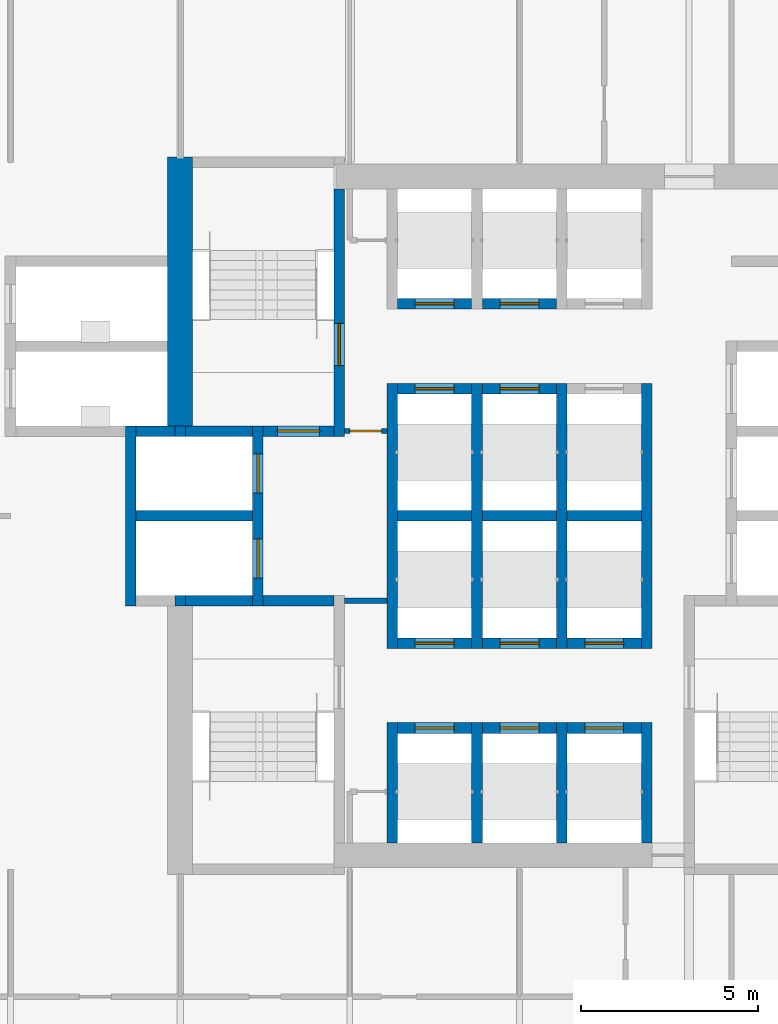
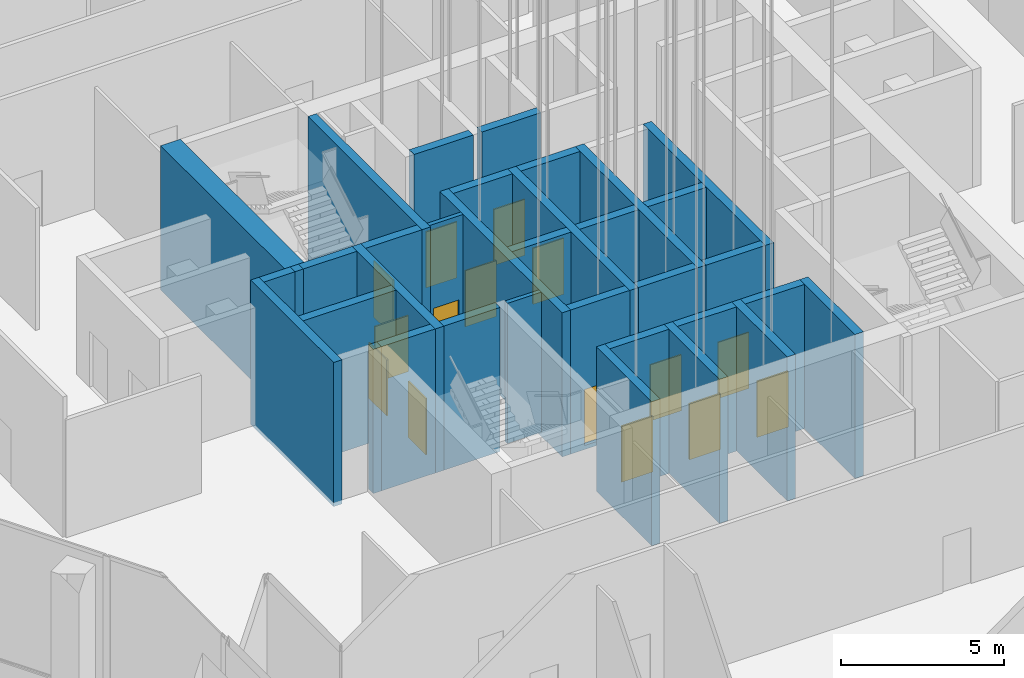
# One storey, part 9 of 42: 35 walls, 15 doors, 15 openings.
"""IFC4 building model written with IfcOpenShell, lengths in metres."""

import ifcopenshell
import ifcopenshell.guid

model = None  # the IFC model being written
_history = None  # IfcOwnerHistory: only IFC2X3 demands one
_inside = {}  # id of a spatial element -> (the spatial element, [elements in it])
_under = {}  # id of a project, library or spatial element -> (it, [spatial elements below it])
_declared = {}  # id of a project -> (the project, [libraries it declares])
_typed = {}  # id of a type object -> (the type object, [elements of that type])
_made_of = {}  # id of a material, layer set ... -> (it, [elements and type objects made of it])


def new_model(schema):
    """Start an empty IFC model of exactly this schema.

    Asked for "IFC4X3", IfcOpenShell would pick the latest addendum, in which some entities
    have other attributes; the version numbers below select the first issue.
    IFC2X3 requires an IfcOwnerHistory on every rooted entity: one is made here for all.
    """
    global model, _history
    if schema == "IFC4X3":
        model = ifcopenshell.file(schema_version=(4, 3, 0, 0))
    else:
        model = ifcopenshell.file(schema=schema)
    _inside.clear()
    _under.clear()
    _declared.clear()
    _typed.clear()
    _made_of.clear()
    _history = None
    if model.schema == "IFC2X3":
        org = make("IfcOrganization", Name="unknown")
        user = make(
            "IfcPersonAndOrganization",
            ThePerson=make("IfcPerson", FamilyName="unknown"),
            TheOrganization=org,
        )
        app = make(
            "IfcApplication",
            ApplicationDeveloper=org,
            Version="unknown",
            ApplicationFullName="unknown",
            ApplicationIdentifier="unknown",
        )
        _history = make(
            "IfcOwnerHistory",
            OwningUser=user,
            OwningApplication=app,
            ChangeAction="ADDED",
            CreationDate=0,
        )
    return model


def make(cls, **values):
    """One entity of the class cls with the attributes given. An attribute that is None is left unset."""
    return model.create_entity(
        cls, **{name: value for name, value in values.items() if value is not None}
    )


def rooted(cls, **values):
    """An entity with a GlobalId (a new one), such as an element, a storey or a relation."""
    return make(cls, GlobalId=ifcopenshell.guid.new(), OwnerHistory=_history, **values)


def si_unit(unit_type, name, prefix=None):
    """IfcSIUnit, for example si_unit("LENGTHUNIT", "METRE", prefix="MILLI")."""
    return make("IfcSIUnit", UnitType=unit_type, Prefix=prefix, Name=name)


def assignment(units):
    """IfcUnitAssignment: the units of a project."""
    return None if units is None else make("IfcUnitAssignment", Units=units)


def point(xyz):
    """IfcCartesianPoint."""
    return None if xyz is None else make("IfcCartesianPoint", Coordinates=xyz)


def direction(xyz):
    """IfcDirection."""
    return None if xyz is None else make("IfcDirection", DirectionRatios=xyz)


def frame(location, z_axis=None, x_axis=None):
    """IfcAxis2Placement3D, a coordinate frame: its origin and axes. An axis left out is left unset."""
    return make(
        "IfcAxis2Placement3D",
        Location=point(location),
        Axis=direction(z_axis),
        RefDirection=direction(x_axis),
    )


def frame_2d(location, x_axis=None):
    """IfcAxis2Placement2D, a coordinate frame in the plane: its origin and x axis."""
    return make(
        "IfcAxis2Placement2D", Location=point(location), RefDirection=direction(x_axis)
    )


def origin():
    """The frame at (0, 0, 0) with its axes left unset."""
    return frame((0.0, 0.0, 0.0))


def place(relative_to, where):
    """IfcLocalPlacement: puts the frame where relative to a parent placement (None: the world)."""
    return make(
        "IfcLocalPlacement", PlacementRelTo=relative_to, RelativePlacement=where
    )


def context(
    kind, dimensions, precision=None, world=None, true_north=None, identifier=None
):
    """IfcGeometricRepresentationContext, for example the 3D "Model" context."""
    return make(
        "IfcGeometricRepresentationContext",
        ContextIdentifier=identifier,
        ContextType=kind,
        CoordinateSpaceDimension=dimensions,
        Precision=precision,
        WorldCoordinateSystem=world,
        TrueNorth=true_north,
    )


def subcontext(parent, identifier, kind, view, scale=None):
    """IfcGeometricRepresentationSubContext, for example "Body" below "Model"."""
    return make(
        "IfcGeometricRepresentationSubContext",
        ContextIdentifier=identifier,
        ContextType=kind,
        ParentContext=parent,
        TargetScale=scale,
        TargetView=view,
    )


def project(units=None, contexts=None):
    """IfcProject with its units and contexts."""
    return rooted(
        "IfcProject",
        Name="project",
        RepresentationContexts=contexts,
        UnitsInContext=assignment(units),
    )


def spatial(cls, under=None, at=None, **own):
    """A site, building, storey or space (cls), placed at a placement, below another one or the project."""
    s = rooted(cls, ObjectPlacement=at, **own)
    if under is not None:
        _under.setdefault(under.id(), (under, []))[1].append(s)
    return s


def profile(cls, at=None, kind="AREA", **sizes):
    """A parametric profile (cls). Its sizes go by their IFC names, for example OverallWidth=200.0."""
    return make(cls, ProfileType=kind, Position=at, **sizes)


def rectangle(**sizes):
    """IfcRectangleProfileDef."""
    return profile("IfcRectangleProfileDef", **sizes)


def extrude(swept, where, along, depth):
    """IfcExtrudedAreaSolid: the profile swept, set in the frame where, extruded along a direction by depth."""
    return make(
        "IfcExtrudedAreaSolid",
        SweptArea=swept,
        Position=where,
        ExtrudedDirection=direction(along),
        Depth=depth,
    )


def shape(context_of_items, identifier, shape_type, items):
    """IfcShapeRepresentation: the items that make up one representation, for example the "Body"."""
    return make(
        "IfcShapeRepresentation",
        ContextOfItems=context_of_items,
        RepresentationIdentifier=identifier,
        RepresentationType=shape_type,
        Items=items,
    )


def material(Name=None, Category=None):
    """IfcMaterial."""
    return make("IfcMaterial", Name=Name, Category=Category)


def layer(
    of_material, thickness, ventilated=None, Name=None, Category=None, Priority=None
):
    """IfcMaterialLayer: one layer of a wall or slab, of a material (None: an air gap)."""
    return make(
        "IfcMaterialLayer",
        Material=of_material,
        LayerThickness=thickness,
        IsVentilated=ventilated,
        Name=Name,
        Category=Category,
        Priority=Priority,
    )


def layer_set(layers, Name=None):
    """IfcMaterialLayerSet."""
    return make("IfcMaterialLayerSet", MaterialLayers=layers, LayerSetName=Name)


def made_of(thing, what):
    """Note that an element or type object is made of a material, layer set ...; save() writes the relation."""
    if what is not None:
        _made_of.setdefault(what.id(), (what, []))[1].append(thing)
    return thing


def type_object(cls, material=None, **own):
    """A type object (cls), such as IfcWallType, which elements share."""
    return made_of(rooted(cls, **own), material)


def element(
    cls,
    number,
    at=None,
    inside=None,
    cuts=None,
    type_object=None,
    material=None,
    context=None,
    identifier="Body",
    shape_type=None,
    held_by="IfcProductDefinitionShape",
    body=None,
    shapes=None,
    **own,
):
    """One element of the class cls, such as IfcWall. Its Tag is "e" and its number.

    at: its placement. inside: the storey or other place that contains it. cuts: it is an
    opening in that element (IfcRelVoidsElement). A single representation is given by context,
    identifier, shape_type and body (its items); several are given by shapes. held_by: the class
    of the entity that holds the representations. save() writes the other relations.
    """
    e = rooted(cls, Tag="e%d" % number, ObjectPlacement=at, **own)
    if body is not None:
        shapes = [shape(context, identifier, shape_type, body)]
    if shapes is not None:
        e.Representation = make(held_by, Representations=shapes)
    if inside is not None:
        _inside.setdefault(inside.id(), (inside, []))[1].append(e)
    if cuts is not None:
        rooted(
            "IfcRelVoidsElement", RelatingBuildingElement=cuts, RelatedOpeningElement=e
        )
    if type_object is not None:
        _typed.setdefault(type_object.id(), (type_object, []))[1].append(e)
    return made_of(e, material)


def fill(opening, filler):
    """IfcRelFillsElement: the door or window that sits in an opening."""
    return rooted(
        "IfcRelFillsElement",
        RelatingOpeningElement=opening,
        RelatedBuildingElement=filler,
    )


def aggregate(whole, parts):
    """IfcRelAggregates: a whole, such as a stair, and the parts it consists of."""
    return rooted("IfcRelAggregates", RelatingObject=whole, RelatedObjects=parts)


def save(model, path):
    """Write the relations noted so far, then the file.

    IfcRelAggregates (storeys below a building ...), IfcRelContainedInSpatialStructure (elements
    in a storey), IfcRelDefinesByType, IfcRelAssociatesMaterial and IfcRelDeclares: one each for
    every whole, place, type object, material and project.
    """
    for whole, parts in _under.values():
        aggregate(whole, parts)
    for where, things in _inside.values():
        rooted(
            "IfcRelContainedInSpatialStructure",
            RelatedElements=things,
            RelatingStructure=where,
        )
    for kind, things in _typed.values():
        rooted("IfcRelDefinesByType", RelatedObjects=things, RelatingType=kind)
    for what, things in _made_of.values():
        rooted("IfcRelAssociatesMaterial", RelatedObjects=things, RelatingMaterial=what)
    for by, libraries in _declared.values():
        rooted("IfcRelDeclares", RelatingContext=by, RelatedDefinitions=libraries)
    model.write(path)


model = new_model("IFC4")

# Units and contexts
model_context = context("Model", 3, precision=1e-05, world=origin(), true_north=direction((0.0, 1.0)))
body_context = subcontext(model_context, "Body", "Model", "MODEL_VIEW")
ifc_project = project(units=[si_unit("LENGTHUNIT", "METRE"), si_unit("AREAUNIT", "SQUARE_METRE"), si_unit("VOLUMEUNIT", "CUBIC_METRE"), si_unit("PLANEANGLEUNIT", "RADIAN"), si_unit("MASSUNIT", "GRAM", prefix="KILO")], contexts=[model_context])

# Site, building, storey
site_placement = place(None, origin())
site = spatial("IfcSite", under=ifc_project, at=site_placement, CompositionType="ELEMENT")
building_placement = place(site_placement, origin())
building = spatial("IfcBuilding", under=site, at=building_placement, Name="Kolab Exchange Tower", CompositionType="ELEMENT")
storey_placement = place(building_placement, frame((0.0, 0.0, 133.39990234375)))
storey = spatial("IfcBuildingStorey", under=building, at=storey_placement, Name="L26", CompositionType="ELEMENT", Elevation=133.39990234375)

# Wall
ifc_material_1 = material(Name="Concrete C60/75", Category="concrete")
ifc_layer_1 = layer(ifc_material_1, 0.699951171875)
ifc_layer_set_1 = layer_set([ifc_layer_1], Name="Concrete C60/75")
wall_type_1 = type_object("IfcWallType", Name="CORE WALL 700 C60/75", PredefinedType="SHEAR", material=ifc_layer_set_1)
wall_1_placement = place(storey_placement, frame((-9.60009765625, 2.550048828125, -0.14990234375), z_axis=(0.0, 0.0, 1.0), x_axis=(0.0, 1.0, 0.0)))
element("IfcWall", 1, at=wall_1_placement, inside=storey, type_object=wall_type_1, Name="wall/L26/core/044", PredefinedType="SHEAR", context=body_context, shape_type="SweptSolid", body=[
    extrude(rectangle(XDim=7.599853515625, YDim=0.699951171875, at=frame_2d((3.7998046875, 0.0))), origin(), (0.0, 0.0, 1.0), 5.39990234375),
])

# Wall, opening, door
ifc_material_2 = material(Name="Concrete C50/60", Category="concrete")
ifc_layer_2 = layer(ifc_material_2, 0.300048828125)
ifc_layer_set_2 = layer_set([ifc_layer_2], Name="Concrete C50/60")
wall_type_2 = type_object("IfcWallType", Name="LIFT SHAFT WALL 300 C50/60", PredefinedType="STANDARD", material=ifc_layer_set_2)
wall_2_placement = place(storey_placement, frame((-3.449951171875, -6.0, -0.14990234375), z_axis=(0.0, 0.0, 1.0), x_axis=(1.0, 0.0, 0.0)))
wall_2 = element("IfcWall", 2, at=wall_2_placement, inside=storey, type_object=wall_type_2, Name="wall/L26/core/003", PredefinedType="STANDARD", context=body_context, shape_type="SweptSolid", body=[
    extrude(rectangle(XDim=2.099853515625, YDim=0.300048828125, at=frame_2d((1.0498046875, 0.0))), origin(), (0.0, 0.0, 1.0), 5.39990234375),
])
opening_1_placement = place(wall_2_placement, frame((0.5, 0.0, 0.14990234375)))
opening_1 = element("IfcOpeningElement", 3, at=opening_1_placement, cuts=wall_2, Name="Opening LD1-094", PredefinedType="OPENING", context=body_context, shape_type="SweptSolid", body=[
    extrude(rectangle(XDim=1.10009765625, YDim=2.10009765625, at=frame_2d((0.550048828125, 1.050048828125))), frame((0.0, 0.16015625, 0.0), z_axis=(0.0, -1.0, 0.0), x_axis=(1.0, 0.0, 0.0)), (0.0, 0.0, 1.0), 0.320068359375),
])
ifc_material_3 = material(Name="Stainless steel 316", Category="steel")
door_type_1 = type_object("IfcDoorType", Name="LANDING DOOR 1100 PASSENGER", OperationType="DOUBLE_DOOR_SLIDING", PredefinedType="DOOR", material=ifc_material_3)
door_1_placement = place(opening_1_placement, origin())
door_1 = element("IfcDoor", 4, at=door_1_placement, inside=storey, type_object=door_type_1, Name="Landing door HR10", OperationType="DOUBLE_DOOR_SLIDING", OverallHeight=2.10009765625, OverallWidth=1.10009765625, PredefinedType="DOOR", context=body_context, shape_type="SweptSolid", body=[
    extrude(rectangle(XDim=1.10009765625, YDim=2.10009765625, at=frame_2d((0.550048828125, 1.050048828125))), frame((0.0, 0.02490234375, 0.0), z_axis=(0.0, -1.0, 0.0), x_axis=(1.0, 0.0, 0.0)), (0.0, 0.0, 1.0), 0.050048828125),
])
fill(opening_1, door_1)

wall_3_placement = place(storey_placement, frame((-1.050048828125, -6.0, -0.14990234375), z_axis=(0.0, 0.0, 1.0), x_axis=(1.0, 0.0, 0.0)))
wall_3 = element("IfcWall", 5, at=wall_3_placement, inside=storey, type_object=wall_type_2, Name="wall/L26/core/004", PredefinedType="STANDARD", context=body_context, shape_type="SweptSolid", body=[
    extrude(rectangle(XDim=2.10009765625, YDim=0.300048828125, at=frame_2d((1.050048828125, 0.0))), origin(), (0.0, 0.0, 1.0), 5.39990234375),
])
opening_2_placement = place(wall_3_placement, frame((0.5, 0.0, 0.14990234375)))
opening_2 = element("IfcOpeningElement", 6, at=opening_2_placement, cuts=wall_3, Name="Opening LD1-095", PredefinedType="OPENING", context=body_context, shape_type="SweptSolid", body=[
    extrude(rectangle(XDim=1.10009765625, YDim=2.10009765625, at=frame_2d((0.550048828125, 1.050048828125))), frame((0.0, 0.16015625, 0.0), z_axis=(0.0, -1.0, 0.0), x_axis=(1.0, 0.0, 0.0)), (0.0, 0.0, 1.0), 0.320068359375),
])
door_2_placement = place(opening_2_placement, origin())
door_2 = element("IfcDoor", 7, at=door_2_placement, inside=storey, type_object=door_type_1, Name="Landing door HR11", OperationType="DOUBLE_DOOR_SLIDING", OverallHeight=2.10009765625, OverallWidth=1.10009765625, PredefinedType="DOOR", context=body_context, shape_type="SweptSolid", body=[
    extrude(rectangle(XDim=1.10009765625, YDim=2.10009765625, at=frame_2d((0.550048828125, 1.050048828125))), frame((0.0, 0.02490234375, 0.0), z_axis=(0.0, -1.0, 0.0), x_axis=(1.0, 0.0, 0.0)), (0.0, 0.0, 1.0), 0.050048828125),
])
fill(opening_2, door_2)

wall_4_placement = place(storey_placement, frame((1.35009765625, -6.0, -0.14990234375), z_axis=(0.0, 0.0, 1.0), x_axis=(1.0, 0.0, 0.0)))
wall_4 = element("IfcWall", 8, at=wall_4_placement, inside=storey, type_object=wall_type_2, Name="wall/L26/core/005", PredefinedType="STANDARD", context=body_context, shape_type="SweptSolid", body=[
    extrude(rectangle(XDim=2.099853515625, YDim=0.300048828125, at=frame_2d((1.0498046875, 0.0))), origin(), (0.0, 0.0, 1.0), 5.39990234375),
])
opening_3_placement = place(wall_4_placement, frame((0.5, 0.0, 0.14990234375)))
opening_3 = element("IfcOpeningElement", 9, at=opening_3_placement, cuts=wall_4, Name="Opening LD1-096", PredefinedType="OPENING", context=body_context, shape_type="SweptSolid", body=[
    extrude(rectangle(XDim=1.10009765625, YDim=2.10009765625, at=frame_2d((0.550048828125, 1.050048828125))), frame((0.0, 0.16015625, 0.0), z_axis=(0.0, -1.0, 0.0), x_axis=(1.0, 0.0, 0.0)), (0.0, 0.0, 1.0), 0.320068359375),
])
door_3_placement = place(opening_3_placement, origin())
door_3 = element("IfcDoor", 10, at=door_3_placement, inside=storey, type_object=door_type_1, Name="Landing door HR12", OperationType="DOUBLE_DOOR_SLIDING", OverallHeight=2.10009765625, OverallWidth=1.10009765625, PredefinedType="DOOR", context=body_context, shape_type="SweptSolid", body=[
    extrude(rectangle(XDim=1.10009765625, YDim=2.10009765625, at=frame_2d((0.550048828125, 1.050048828125))), frame((0.0, 0.02490234375, 0.0), z_axis=(0.0, -1.0, 0.0), x_axis=(1.0, 0.0, 0.0)), (0.0, 0.0, 1.0), 0.050048828125),
])
fill(opening_3, door_3)

wall_5_placement = place(storey_placement, frame((-3.449951171875, -3.60009765625, -0.14990234375), z_axis=(0.0, 0.0, 1.0), x_axis=(1.0, 0.0, 0.0)))
wall_5 = element("IfcWall", 11, at=wall_5_placement, inside=storey, type_object=wall_type_2, Name="wall/L26/core/006", PredefinedType="STANDARD", context=body_context, shape_type="SweptSolid", body=[
    extrude(rectangle(XDim=2.099853515625, YDim=0.300048828125, at=frame_2d((1.0498046875, 0.0))), origin(), (0.0, 0.0, 1.0), 5.39990234375),
])
opening_4_placement = place(wall_5_placement, frame((0.5, 0.0, 0.14990234375)))
opening_4 = element("IfcOpeningElement", 12, at=opening_4_placement, cuts=wall_5, Name="Opening LD1-102", PredefinedType="OPENING", context=body_context, shape_type="SweptSolid", body=[
    extrude(rectangle(XDim=1.10009765625, YDim=2.10009765625, at=frame_2d((0.550048828125, 1.050048828125))), frame((0.0, 0.16015625, 0.0), z_axis=(0.0, -1.0, 0.0), x_axis=(1.0, 0.0, 0.0)), (0.0, 0.0, 1.0), 0.320068359375),
])
door_4_placement = place(opening_4_placement, origin())
door_4 = element("IfcDoor", 13, at=door_4_placement, inside=storey, type_object=door_type_1, Name="Landing door HR7", OperationType="DOUBLE_DOOR_SLIDING", OverallHeight=2.10009765625, OverallWidth=1.10009765625, PredefinedType="DOOR", context=body_context, shape_type="SweptSolid", body=[
    extrude(rectangle(XDim=1.10009765625, YDim=2.10009765625, at=frame_2d((0.550048828125, 1.050048828125))), frame((0.0, 0.02490234375, 0.0), z_axis=(0.0, -1.0, 0.0), x_axis=(1.0, 0.0, 0.0)), (0.0, 0.0, 1.0), 0.050048828125),
])
fill(opening_4, door_4)

wall_6_placement = place(storey_placement, frame((-1.050048828125, -3.60009765625, -0.14990234375), z_axis=(0.0, 0.0, 1.0), x_axis=(1.0, 0.0, 0.0)))
wall_6 = element("IfcWall", 14, at=wall_6_placement, inside=storey, type_object=wall_type_2, Name="wall/L26/core/007", PredefinedType="STANDARD", context=body_context, shape_type="SweptSolid", body=[
    extrude(rectangle(XDim=2.10009765625, YDim=0.300048828125, at=frame_2d((1.050048828125, 0.0))), origin(), (0.0, 0.0, 1.0), 5.39990234375),
])
opening_5_placement = place(wall_6_placement, frame((0.5, 0.0, 0.14990234375)))
opening_5 = element("IfcOpeningElement", 15, at=opening_5_placement, cuts=wall_6, Name="Opening LD1-103", PredefinedType="OPENING", context=body_context, shape_type="SweptSolid", body=[
    extrude(rectangle(XDim=1.10009765625, YDim=2.10009765625, at=frame_2d((0.550048828125, 1.050048828125))), frame((0.0, 0.16015625, 0.0), z_axis=(0.0, -1.0, 0.0), x_axis=(1.0, 0.0, 0.0)), (0.0, 0.0, 1.0), 0.320068359375),
])
door_5_placement = place(opening_5_placement, origin())
door_5 = element("IfcDoor", 16, at=door_5_placement, inside=storey, type_object=door_type_1, Name="Landing door HR8", OperationType="DOUBLE_DOOR_SLIDING", OverallHeight=2.10009765625, OverallWidth=1.10009765625, PredefinedType="DOOR", context=body_context, shape_type="SweptSolid", body=[
    extrude(rectangle(XDim=1.10009765625, YDim=2.10009765625, at=frame_2d((0.550048828125, 1.050048828125))), frame((0.0, 0.02490234375, 0.0), z_axis=(0.0, -1.0, 0.0), x_axis=(1.0, 0.0, 0.0)), (0.0, 0.0, 1.0), 0.050048828125),
])
fill(opening_5, door_5)

wall_7_placement = place(storey_placement, frame((1.35009765625, -3.60009765625, -0.14990234375), z_axis=(0.0, 0.0, 1.0), x_axis=(1.0, 0.0, 0.0)))
wall_7 = element("IfcWall", 17, at=wall_7_placement, inside=storey, type_object=wall_type_2, Name="wall/L26/core/008", PredefinedType="STANDARD", context=body_context, shape_type="SweptSolid", body=[
    extrude(rectangle(XDim=2.099853515625, YDim=0.300048828125, at=frame_2d((1.0498046875, 0.0))), origin(), (0.0, 0.0, 1.0), 5.39990234375),
])
opening_6_placement = place(wall_7_placement, frame((0.5, 0.0, 0.14990234375)))
opening_6 = element("IfcOpeningElement", 18, at=opening_6_placement, cuts=wall_7, Name="Opening LD1-104", PredefinedType="OPENING", context=body_context, shape_type="SweptSolid", body=[
    extrude(rectangle(XDim=1.10009765625, YDim=2.10009765625, at=frame_2d((0.550048828125, 1.050048828125))), frame((0.0, 0.16015625, 0.0), z_axis=(0.0, -1.0, 0.0), x_axis=(1.0, 0.0, 0.0)), (0.0, 0.0, 1.0), 0.320068359375),
])
door_6_placement = place(opening_6_placement, origin())
door_6 = element("IfcDoor", 19, at=door_6_placement, inside=storey, type_object=door_type_1, Name="Landing door HR9", OperationType="DOUBLE_DOOR_SLIDING", OverallHeight=2.10009765625, OverallWidth=1.10009765625, PredefinedType="DOOR", context=body_context, shape_type="SweptSolid", body=[
    extrude(rectangle(XDim=1.10009765625, YDim=2.10009765625, at=frame_2d((0.550048828125, 1.050048828125))), frame((0.0, 0.02490234375, 0.0), z_axis=(0.0, -1.0, 0.0), x_axis=(1.0, 0.0, 0.0)), (0.0, 0.0, 1.0), 0.050048828125),
])
fill(opening_6, door_6)

# Walls
wall_8_placement = place(storey_placement, frame((-10.85009765625, 0.0, -0.14990234375), z_axis=(0.0, 0.0, 1.0), x_axis=(1.0, 0.0, 0.0)))
element("IfcWall", 20, at=wall_8_placement, inside=storey, type_object=wall_type_2, Name="wall/L26/core/014", PredefinedType="STANDARD", context=body_context, shape_type="SweptSolid", body=[
    extrude(rectangle(XDim=3.300048828125, YDim=0.300048828125, at=frame_2d((1.64990234375, 0.0))), origin(), (0.0, 0.0, 1.0), 5.39990234375),
])
wall_9_placement = place(storey_placement, frame((-3.449951171875, 0.0, -0.14990234375), z_axis=(0.0, 0.0, 1.0), x_axis=(1.0, 0.0, 0.0)))
element("IfcWall", 21, at=wall_9_placement, inside=storey, type_object=wall_type_2, Name="wall/L26/core/015", PredefinedType="STANDARD", context=body_context, shape_type="SweptSolid", body=[
    extrude(rectangle(XDim=2.099853515625, YDim=0.300048828125, at=frame_2d((1.0498046875, 0.0))), origin(), (0.0, 0.0, 1.0), 5.39990234375),
])
wall_10_placement = place(storey_placement, frame((-1.050048828125, 0.0, -0.14990234375), z_axis=(0.0, 0.0, 1.0), x_axis=(1.0, 0.0, 0.0)))
element("IfcWall", 22, at=wall_10_placement, inside=storey, type_object=wall_type_2, Name="wall/L26/core/016", PredefinedType="STANDARD", context=body_context, shape_type="SweptSolid", body=[
    extrude(rectangle(XDim=2.10009765625, YDim=0.300048828125, at=frame_2d((1.050048828125, 0.0))), origin(), (0.0, 0.0, 1.0), 5.39990234375),
])
wall_11_placement = place(storey_placement, frame((1.35009765625, 0.0, -0.14990234375), z_axis=(0.0, 0.0, 1.0), x_axis=(1.0, 0.0, 0.0)))
element("IfcWall", 23, at=wall_11_placement, inside=storey, type_object=wall_type_2, Name="wall/L26/core/017", PredefinedType="STANDARD", context=body_context, shape_type="SweptSolid", body=[
    extrude(rectangle(XDim=2.099853515625, YDim=0.300048828125, at=frame_2d((1.0498046875, 0.0))), origin(), (0.0, 0.0, 1.0), 5.39990234375),
])
wall_12_placement = place(storey_placement, frame((-10.85009765625, 2.39990234375, -0.14990234375), z_axis=(0.0, 0.0, 1.0), x_axis=(1.0, 0.0, 0.0)))
element("IfcWall", 24, at=wall_12_placement, inside=storey, type_object=wall_type_2, Name="wall/L26/core/020", PredefinedType="STANDARD", context=body_context, shape_type="SweptSolid", body=[
    extrude(rectangle(XDim=1.10009765625, YDim=0.300048828125, at=frame_2d((0.550048828125, 0.0))), origin(), (0.0, 0.0, 1.0), 5.39990234375),
])

# Wall, opening, door
wall_13_placement = place(storey_placement, frame((-3.449951171875, 3.60009765625, -0.14990234375), z_axis=(0.0, 0.0, 1.0), x_axis=(1.0, 0.0, 0.0)))
wall_13 = element("IfcWall", 25, at=wall_13_placement, inside=storey, type_object=wall_type_2, Name="wall/L26/core/025", PredefinedType="STANDARD", context=body_context, shape_type="SweptSolid", body=[
    extrude(rectangle(XDim=2.099853515625, YDim=0.300048828125, at=frame_2d((1.0498046875, 0.0))), origin(), (0.0, 0.0, 1.0), 5.39990234375),
])
opening_7_placement = place(wall_13_placement, frame((0.5, 0.0, 0.14990234375)))
opening_7 = element("IfcOpeningElement", 26, at=opening_7_placement, cuts=wall_13, Name="Opening LD1-099", PredefinedType="OPENING", context=body_context, shape_type="SweptSolid", body=[
    extrude(rectangle(XDim=1.10009765625, YDim=2.10009765625, at=frame_2d((0.550048828125, 1.050048828125))), frame((0.0, 0.16015625, 0.0), z_axis=(0.0, -1.0, 0.0), x_axis=(1.0, 0.0, 0.0)), (0.0, 0.0, 1.0), 0.320068359375),
])
door_7_placement = place(opening_7_placement, origin())
door_7 = element("IfcDoor", 27, at=door_7_placement, inside=storey, type_object=door_type_1, Name="Landing door HR4", OperationType="DOUBLE_DOOR_SLIDING", OverallHeight=2.10009765625, OverallWidth=1.10009765625, PredefinedType="DOOR", context=body_context, shape_type="SweptSolid", body=[
    extrude(rectangle(XDim=1.10009765625, YDim=2.10009765625, at=frame_2d((0.550048828125, 1.050048828125))), frame((0.0, 0.02490234375, 0.0), z_axis=(0.0, -1.0, 0.0), x_axis=(1.0, 0.0, 0.0)), (0.0, 0.0, 1.0), 0.050048828125),
])
fill(opening_7, door_7)

wall_14_placement = place(storey_placement, frame((-1.050048828125, 3.60009765625, -0.14990234375), z_axis=(0.0, 0.0, 1.0), x_axis=(1.0, 0.0, 0.0)))
wall_14 = element("IfcWall", 28, at=wall_14_placement, inside=storey, type_object=wall_type_2, Name="wall/L26/core/026", PredefinedType="STANDARD", context=body_context, shape_type="SweptSolid", body=[
    extrude(rectangle(XDim=2.10009765625, YDim=0.300048828125, at=frame_2d((1.050048828125, 0.0))), origin(), (0.0, 0.0, 1.0), 5.39990234375),
])
opening_8_placement = place(wall_14_placement, frame((0.5, 0.0, 0.14990234375)))
opening_8 = element("IfcOpeningElement", 29, at=opening_8_placement, cuts=wall_14, Name="Opening LD1-100", PredefinedType="OPENING", context=body_context, shape_type="SweptSolid", body=[
    extrude(rectangle(XDim=1.10009765625, YDim=2.10009765625, at=frame_2d((0.550048828125, 1.050048828125))), frame((0.0, 0.16015625, 0.0), z_axis=(0.0, -1.0, 0.0), x_axis=(1.0, 0.0, 0.0)), (0.0, 0.0, 1.0), 0.320068359375),
])
door_8_placement = place(opening_8_placement, origin())
door_8 = element("IfcDoor", 30, at=door_8_placement, inside=storey, type_object=door_type_1, Name="Landing door HR5", OperationType="DOUBLE_DOOR_SLIDING", OverallHeight=2.10009765625, OverallWidth=1.10009765625, PredefinedType="DOOR", context=body_context, shape_type="SweptSolid", body=[
    extrude(rectangle(XDim=1.10009765625, YDim=2.10009765625, at=frame_2d((0.550048828125, 1.050048828125))), frame((0.0, 0.02490234375, 0.0), z_axis=(0.0, -1.0, 0.0), x_axis=(1.0, 0.0, 0.0)), (0.0, 0.0, 1.0), 0.050048828125),
])
fill(opening_8, door_8)

wall_15_placement = place(storey_placement, frame((-3.449951171875, 6.0, -0.14990234375), z_axis=(0.0, 0.0, 1.0), x_axis=(1.0, 0.0, 0.0)))
wall_15 = element("IfcWall", 31, at=wall_15_placement, inside=storey, type_object=wall_type_2, Name="wall/L26/core/031", PredefinedType="STANDARD", context=body_context, shape_type="SweptSolid", body=[
    extrude(rectangle(XDim=2.099853515625, YDim=0.300048828125, at=frame_2d((1.0498046875, 0.0))), origin(), (0.0, 0.0, 1.0), 5.39990234375),
])
opening_9_placement = place(wall_15_placement, frame((0.5, 0.0, 0.14990234375)))
opening_9 = element("IfcOpeningElement", 32, at=opening_9_placement, cuts=wall_15, Name="Opening LD1-093", PredefinedType="OPENING", context=body_context, shape_type="SweptSolid", body=[
    extrude(rectangle(XDim=1.10009765625, YDim=2.10009765625, at=frame_2d((0.550048828125, 1.050048828125))), frame((0.0, 0.16015625, 0.0), z_axis=(0.0, -1.0, 0.0), x_axis=(1.0, 0.0, 0.0)), (0.0, 0.0, 1.0), 0.320068359375),
])
door_9_placement = place(opening_9_placement, origin())
door_9 = element("IfcDoor", 33, at=door_9_placement, inside=storey, type_object=door_type_1, Name="Landing door HR1", OperationType="DOUBLE_DOOR_SLIDING", OverallHeight=2.10009765625, OverallWidth=1.10009765625, PredefinedType="DOOR", context=body_context, shape_type="SweptSolid", body=[
    extrude(rectangle(XDim=1.10009765625, YDim=2.10009765625, at=frame_2d((0.550048828125, 1.050048828125))), frame((0.0, 0.02490234375, 0.0), z_axis=(0.0, -1.0, 0.0), x_axis=(1.0, 0.0, 0.0)), (0.0, 0.0, 1.0), 0.050048828125),
])
fill(opening_9, door_9)

wall_16_placement = place(storey_placement, frame((-1.050048828125, 6.0, -0.14990234375), z_axis=(0.0, 0.0, 1.0), x_axis=(1.0, 0.0, 0.0)))
wall_16 = element("IfcWall", 34, at=wall_16_placement, inside=storey, type_object=wall_type_2, Name="wall/L26/core/032", PredefinedType="STANDARD", context=body_context, shape_type="SweptSolid", body=[
    extrude(rectangle(XDim=2.10009765625, YDim=0.300048828125, at=frame_2d((1.050048828125, 0.0))), origin(), (0.0, 0.0, 1.0), 5.39990234375),
])
opening_10_placement = place(wall_16_placement, frame((0.5, 0.0, 0.14990234375)))
opening_10 = element("IfcOpeningElement", 35, at=opening_10_placement, cuts=wall_16, Name="Opening LD1-097", PredefinedType="OPENING", context=body_context, shape_type="SweptSolid", body=[
    extrude(rectangle(XDim=1.10009765625, YDim=2.10009765625, at=frame_2d((0.550048828125, 1.050048828125))), frame((0.0, 0.16015625, 0.0), z_axis=(0.0, -1.0, 0.0), x_axis=(1.0, 0.0, 0.0)), (0.0, 0.0, 1.0), 0.320068359375),
])
door_10_placement = place(opening_10_placement, origin())
door_10 = element("IfcDoor", 36, at=door_10_placement, inside=storey, type_object=door_type_1, Name="Landing door HR2", OperationType="DOUBLE_DOOR_SLIDING", OverallHeight=2.10009765625, OverallWidth=1.10009765625, PredefinedType="DOOR", context=body_context, shape_type="SweptSolid", body=[
    extrude(rectangle(XDim=1.10009765625, YDim=2.10009765625, at=frame_2d((0.550048828125, 1.050048828125))), frame((0.0, 0.02490234375, 0.0), z_axis=(0.0, -1.0, 0.0), x_axis=(1.0, 0.0, 0.0)), (0.0, 0.0, 1.0), 0.050048828125),
])
fill(opening_10, door_10)

# Wall
wall_17_placement = place(storey_placement, frame((-11.0, -2.550048828125, -0.14990234375), z_axis=(0.0, 0.0, 1.0), x_axis=(0.0, 1.0, 0.0)))
element("IfcWall", 37, at=wall_17_placement, inside=storey, type_object=wall_type_2, Name="wall/L26/core/040", PredefinedType="STANDARD", context=body_context, shape_type="SweptSolid", body=[
    extrude(rectangle(XDim=5.10009765625, YDim=0.300048828125, at=frame_2d((2.550048828125, 0.0))), origin(), (0.0, 0.0, 1.0), 5.39990234375),
])

# Wall, openings, doors
wall_18_placement = place(storey_placement, frame((-7.39990234375, -2.550048828125, -0.14990234375), z_axis=(0.0, 0.0, 1.0), x_axis=(0.0, 1.0, 0.0)))
wall_18 = element("IfcWall", 38, at=wall_18_placement, inside=storey, type_object=wall_type_2, Name="wall/L26/core/045", PredefinedType="STANDARD", context=body_context, shape_type="SweptSolid", body=[
    extrude(rectangle(XDim=5.10009765625, YDim=0.300048828125, at=frame_2d((2.550048828125, 0.0))), origin(), (0.0, 0.0, 1.0), 5.39990234375),
])
opening_11_placement = place(wall_18_placement, frame((0.800048828125, 0.0, 0.14990234375)))
opening_11 = element("IfcOpeningElement", 39, at=opening_11_placement, cuts=wall_18, Name="Opening LD2-023", PredefinedType="OPENING", context=body_context, shape_type="SweptSolid", body=[
    extrude(rectangle(XDim=1.10009765625, YDim=2.10009765625, at=frame_2d((0.550048828125, 1.050048828125))), frame((0.0, 0.16015625, 0.0), z_axis=(0.0, -1.0, 0.0), x_axis=(1.0, 0.0, 0.0)), (0.0, 0.0, 1.0), 0.320068359375),
])
opening_12_placement = place(wall_18_placement, frame((3.199951171875, 0.0, 0.14990234375)))
opening_12 = element("IfcOpeningElement", 40, at=opening_12_placement, cuts=wall_18, Name="Opening LD2-024", PredefinedType="OPENING", context=body_context, shape_type="SweptSolid", body=[
    extrude(rectangle(XDim=1.10009765625, YDim=2.10009765625, at=frame_2d((0.550048828125, 1.050048828125))), frame((0.0, 0.16015625, 0.0), z_axis=(0.0, -1.0, 0.0), x_axis=(1.0, 0.0, 0.0)), (0.0, 0.0, 1.0), 0.320068359375),
])
door_type_2 = type_object("IfcDoorType", Name="LANDING DOOR 1100 FIREFIGHTING", OperationType="DOUBLE_DOOR_SLIDING", PredefinedType="DOOR", material=ifc_material_3)
door_11_placement = place(opening_11_placement, origin())
door_11 = element("IfcDoor", 41, at=door_11_placement, inside=storey, type_object=door_type_2, Name="Landing door FF1", OperationType="DOUBLE_DOOR_SLIDING", OverallHeight=2.10009765625, OverallWidth=1.10009765625, PredefinedType="DOOR", context=body_context, shape_type="SweptSolid", body=[
    extrude(rectangle(XDim=1.10009765625, YDim=2.10009765625, at=frame_2d((0.550048828125, 1.050048828125))), frame((0.0, 0.02490234375, 0.0), z_axis=(0.0, -1.0, 0.0), x_axis=(1.0, 0.0, 0.0)), (0.0, 0.0, 1.0), 0.050048828125),
])
fill(opening_11, door_11)
door_12_placement = place(opening_12_placement, origin())
door_12 = element("IfcDoor", 42, at=door_12_placement, inside=storey, type_object=door_type_2, Name="Landing door FF2", OperationType="DOUBLE_DOOR_SLIDING", OverallHeight=2.10009765625, OverallWidth=1.10009765625, PredefinedType="DOOR", context=body_context, shape_type="SweptSolid", body=[
    extrude(rectangle(XDim=1.10009765625, YDim=2.10009765625, at=frame_2d((0.550048828125, 1.050048828125))), frame((0.0, 0.02490234375, 0.0), z_axis=(0.0, -1.0, 0.0), x_axis=(1.0, 0.0, 0.0)), (0.0, 0.0, 1.0), 0.050048828125),
])
fill(opening_12, door_12)

# Walls
wall_19_placement = place(storey_placement, frame((-3.60009765625, -9.25, -0.14990234375), z_axis=(0.0, 0.0, 1.0), x_axis=(0.0, 1.0, 0.0)))
element("IfcWall", 43, at=wall_19_placement, inside=storey, type_object=wall_type_2, Name="wall/L26/core/050", PredefinedType="STANDARD", context=body_context, shape_type="SweptSolid", body=[
    extrude(rectangle(XDim=3.39990234375, YDim=0.300048828125, at=frame_2d((1.699951171875, 0.0))), origin(), (0.0, 0.0, 1.0), 5.39990234375),
])
wall_20_placement = place(storey_placement, frame((-3.60009765625, -3.75, -0.14990234375), z_axis=(0.0, 0.0, 1.0), x_axis=(0.0, 1.0, 0.0)))
element("IfcWall", 44, at=wall_20_placement, inside=storey, type_object=wall_type_2, Name="wall/L26/core/051", PredefinedType="STANDARD", context=body_context, shape_type="SweptSolid", body=[
    extrude(rectangle(XDim=7.5, YDim=0.300048828125, at=frame_2d((3.75, 0.0))), origin(), (0.0, 0.0, 1.0), 5.39990234375),
])
wall_21_placement = place(storey_placement, frame((-1.199951171875, -9.25, -0.14990234375), z_axis=(0.0, 0.0, 1.0), x_axis=(0.0, 1.0, 0.0)))
element("IfcWall", 45, at=wall_21_placement, inside=storey, type_object=wall_type_2, Name="wall/L26/core/053", PredefinedType="STANDARD", context=body_context, shape_type="SweptSolid", body=[
    extrude(rectangle(XDim=3.39990234375, YDim=0.300048828125, at=frame_2d((1.699951171875, 0.0))), origin(), (0.0, 0.0, 1.0), 5.39990234375),
])
wall_22_placement = place(storey_placement, frame((-1.199951171875, -3.75, -0.14990234375), z_axis=(0.0, 0.0, 1.0), x_axis=(0.0, 1.0, 0.0)))
element("IfcWall", 46, at=wall_22_placement, inside=storey, type_object=wall_type_2, Name="wall/L26/core/054", PredefinedType="STANDARD", context=body_context, shape_type="SweptSolid", body=[
    extrude(rectangle(XDim=7.5, YDim=0.300048828125, at=frame_2d((3.75, 0.0))), origin(), (0.0, 0.0, 1.0), 5.39990234375),
])
wall_23_placement = place(storey_placement, frame((1.199951171875, -9.25, -0.14990234375), z_axis=(0.0, 0.0, 1.0), x_axis=(0.0, 1.0, 0.0)))
element("IfcWall", 47, at=wall_23_placement, inside=storey, type_object=wall_type_2, Name="wall/L26/core/056", PredefinedType="STANDARD", context=body_context, shape_type="SweptSolid", body=[
    extrude(rectangle(XDim=3.39990234375, YDim=0.300048828125, at=frame_2d((1.699951171875, 0.0))), origin(), (0.0, 0.0, 1.0), 5.39990234375),
])
wall_24_placement = place(storey_placement, frame((1.199951171875, -3.75, -0.14990234375), z_axis=(0.0, 0.0, 1.0), x_axis=(0.0, 1.0, 0.0)))
element("IfcWall", 48, at=wall_24_placement, inside=storey, type_object=wall_type_2, Name="wall/L26/core/057", PredefinedType="STANDARD", context=body_context, shape_type="SweptSolid", body=[
    extrude(rectangle(XDim=7.5, YDim=0.300048828125, at=frame_2d((3.75, 0.0))), origin(), (0.0, 0.0, 1.0), 5.39990234375),
])
wall_25_placement = place(storey_placement, frame((3.60009765625, -9.25, -0.14990234375), z_axis=(0.0, 0.0, 1.0), x_axis=(0.0, 1.0, 0.0)))
element("IfcWall", 49, at=wall_25_placement, inside=storey, type_object=wall_type_2, Name="wall/L26/core/059", PredefinedType="STANDARD", context=body_context, shape_type="SweptSolid", body=[
    extrude(rectangle(XDim=3.39990234375, YDim=0.300048828125, at=frame_2d((1.699951171875, 0.0))), origin(), (0.0, 0.0, 1.0), 5.39990234375),
])
wall_26_placement = place(storey_placement, frame((3.60009765625, -3.75, -0.14990234375), z_axis=(0.0, 0.0, 1.0), x_axis=(0.0, 1.0, 0.0)))
element("IfcWall", 50, at=wall_26_placement, inside=storey, type_object=wall_type_2, Name="wall/L26/core/060", PredefinedType="STANDARD", context=body_context, shape_type="SweptSolid", body=[
    extrude(rectangle(XDim=7.5, YDim=0.300048828125, at=frame_2d((3.75, 0.0))), origin(), (0.0, 0.0, 1.0), 5.39990234375),
])

# Wall, opening, door
ifc_material_4 = material(Name="Gypsum board", Category="gypsum")
ifc_layer_3 = layer(ifc_material_4, 0.14990234375)
ifc_layer_set_3 = layer_set([ifc_layer_3], Name="Gypsum board")
wall_type_3 = type_object("IfcWallType", Name="PARTITION 150 FIRE-RATED", PredefinedType="PARTITIONING", material=ifc_layer_set_3)
wall_27_placement = place(storey_placement, frame((-4.949951171875, 2.39990234375, 0.0), z_axis=(0.0, 0.0, 1.0), x_axis=(1.0, 0.0, 0.0)))
wall_27 = element("IfcWall", 51, at=wall_27_placement, inside=storey, type_object=wall_type_3, Name="Fire partition", PredefinedType="PARTITIONING", context=body_context, shape_type="SweptSolid", body=[
    extrude(rectangle(XDim=1.199951171875, YDim=0.14990234375, at=frame_2d((0.60009765625, 0.0))), origin(), (0.0, 0.0, 1.0), 5.25),
])
opening_13_placement = place(wall_27_placement, frame((0.14990234375, 0.0, 0.0)))
opening_13 = element("IfcOpeningElement", 52, at=opening_13_placement, cuts=wall_27, Name="Opening D6-097", PredefinedType="OPENING", context=body_context, shape_type="SweptSolid", body=[
    extrude(rectangle(XDim=0.89990234375, YDim=2.10009765625, at=frame_2d((0.449951171875, 1.050048828125))), frame((0.0, 0.0849609375, 0.0), z_axis=(0.0, -1.0, 0.0), x_axis=(1.0, 0.0, 0.0)), (0.0, 0.0, 1.0), 0.169921875),
])
ifc_material_5 = material(Name="Steel S235", Category="steel")
door_type_3 = type_object("IfcDoorType", Name="CORE DOOR 900 EI 120", OperationType="SINGLE_SWING_LEFT", PredefinedType="DOOR", material=ifc_material_5)
door_13_placement = place(opening_13_placement, frame((0.89990234375, 0.0, 0.0), z_axis=(0.0, 0.0, 1.0), x_axis=(-1.0, 0.0, 0.0)))
door_13 = element("IfcDoor", 53, at=door_13_placement, inside=storey, type_object=door_type_3, Name="Firefighting lobby door", OperationType="SINGLE_SWING_RIGHT", OverallHeight=2.10009765625, OverallWidth=0.89990234375, PredefinedType="DOOR", context=body_context, shape_type="SweptSolid", body=[
    extrude(rectangle(XDim=0.89990234375, YDim=2.10009765625, at=frame_2d((0.449951171875, 1.050048828125))), frame((0.0, 0.02490234375, 0.0), z_axis=(0.0, -1.0, 0.0), x_axis=(1.0, 0.0, 0.0)), (0.0, 0.0, 1.0), 0.050048828125),
])
fill(opening_13, door_13)

# Walls
wall_28_placement = place(storey_placement, frame((-4.949951171875, -2.39990234375, 0.0), z_axis=(0.0, 0.0, 1.0), x_axis=(1.0, 0.0, 0.0)))
element("IfcWall", 54, at=wall_28_placement, inside=storey, type_object=wall_type_3, Name="Fire partition", PredefinedType="PARTITIONING", context=body_context, shape_type="SweptSolid", body=[
    extrude(rectangle(XDim=1.199951171875, YDim=0.14990234375, at=frame_2d((0.60009765625, 0.0))), origin(), (0.0, 0.0, 1.0), 5.25),
])
ifc_layer_4 = layer(ifc_material_2, 0.300048828125)
ifc_layer_set_4 = layer_set([ifc_layer_4], Name="Concrete C50/60")
wall_type_4 = type_object("IfcWallType", Name="STAIR ENCLOSURE WALL 300 C50/60", PredefinedType="STANDARD", material=ifc_layer_set_4)
wall_29_placement = place(storey_placement, frame((-9.449951171875, -2.39990234375, -0.14990234375), z_axis=(0.0, 0.0, 1.0), x_axis=(1.0, 0.0, 0.0)))
element("IfcWall", 55, at=wall_29_placement, inside=storey, type_object=wall_type_4, Name="wall/L26/core/010", PredefinedType="STANDARD", context=body_context, shape_type="SweptSolid", body=[
    extrude(rectangle(XDim=1.89990234375, YDim=0.300048828125, at=frame_2d((0.949951171875, 0.0))), origin(), (0.0, 0.0, 1.0), 5.39990234375),
])
wall_30_placement = place(storey_placement, frame((-7.25, -2.39990234375, -0.14990234375), z_axis=(0.0, 0.0, 1.0), x_axis=(1.0, 0.0, 0.0)))
element("IfcWall", 56, at=wall_30_placement, inside=storey, type_object=wall_type_4, Name="wall/L26/core/011", PredefinedType="STANDARD", context=body_context, shape_type="SweptSolid", body=[
    extrude(rectangle(XDim=2.0, YDim=0.300048828125, at=frame_2d((1.0, 0.0))), origin(), (0.0, 0.0, 1.0), 5.39990234375),
])
wall_31_placement = place(storey_placement, frame((-9.449951171875, 2.39990234375, -0.14990234375), z_axis=(0.0, 0.0, 1.0), x_axis=(1.0, 0.0, 0.0)))
element("IfcWall", 57, at=wall_31_placement, inside=storey, type_object=wall_type_4, Name="wall/L26/core/021", PredefinedType="STANDARD", context=body_context, shape_type="SweptSolid", body=[
    extrude(rectangle(XDim=1.89990234375, YDim=0.300048828125, at=frame_2d((0.949951171875, 0.0))), origin(), (0.0, 0.0, 1.0), 5.39990234375),
])

# Wall, opening, door
wall_32_placement = place(storey_placement, frame((-7.25, 2.39990234375, -0.14990234375), z_axis=(0.0, 0.0, 1.0), x_axis=(1.0, 0.0, 0.0)))
wall_32 = element("IfcWall", 58, at=wall_32_placement, inside=storey, type_object=wall_type_4, Name="wall/L26/core/022", PredefinedType="STANDARD", context=body_context, shape_type="SweptSolid", body=[
    extrude(rectangle(XDim=2.0, YDim=0.300048828125, at=frame_2d((1.0, 0.0))), origin(), (0.0, 0.0, 1.0), 5.39990234375),
])
opening_14_placement = place(wall_32_placement, frame((0.39990234375, 0.0, 0.14990234375)))
opening_14 = element("IfcOpeningElement", 59, at=opening_14_placement, cuts=wall_32, Name="Opening D4-061", PredefinedType="OPENING", context=body_context, shape_type="SweptSolid", body=[
    extrude(rectangle(XDim=1.199951171875, YDim=2.10009765625, at=frame_2d((0.60009765625, 1.050048828125))), frame((0.0, 0.16015625, 0.0), z_axis=(0.0, -1.0, 0.0), x_axis=(1.0, 0.0, 0.0)), (0.0, 0.0, 1.0), 0.320068359375),
])
door_type_4 = type_object("IfcDoorType", Name="STAIR DOOR 1200 EI 120", OperationType="SINGLE_SWING_LEFT", PredefinedType="DOOR", material=ifc_material_5)
door_14_placement = place(opening_14_placement, origin())
door_14 = element("IfcDoor", 60, at=door_14_placement, inside=storey, type_object=door_type_4, Name="Stair 1 door", OperationType="SINGLE_SWING_RIGHT", OverallHeight=2.10009765625, OverallWidth=1.199951171875, PredefinedType="DOOR", context=body_context, shape_type="SweptSolid", body=[
    extrude(rectangle(XDim=1.199951171875, YDim=2.10009765625, at=frame_2d((0.60009765625, 1.050048828125))), frame((0.0, 0.02490234375, 0.0), z_axis=(0.0, -1.0, 0.0), x_axis=(1.0, 0.0, 0.0)), (0.0, 0.0, 1.0), 0.050048828125),
])
fill(opening_14, door_14)

# Walls
for number, where, z_axis, x_axis, name in (
    (61, (-9.60009765625, -2.550048828125, -0.14990234375), (0.0, 0.0, 1.0), (0.0, 1.0, 0.0), "wall/L26/core/042"),
    (62, (-9.60009765625, 2.25, -0.14990234375), (0.0, 0.0, 1.0), (0.0, 1.0, 0.0), "wall/L26/core/043"),
):
    element("IfcWall", number, at=place(storey_placement, frame(where, z_axis=z_axis, x_axis=x_axis)), inside=storey, type_object=wall_type_4, Name=name, PredefinedType="STANDARD", context=body_context, shape_type="SweptSolid", body=[
        extrude(rectangle(XDim=0.300048828125, YDim=0.300048828125, at=frame_2d((0.14990234375, 0.0))), origin(), (0.0, 0.0, 1.0), 5.39990234375),
    ])

# Wall, opening, door
wall_33_placement = place(storey_placement, frame((-5.10009765625, 2.25, -0.14990234375), z_axis=(0.0, 0.0, 1.0), x_axis=(0.0, 1.0, 0.0)))
wall_33 = element("IfcWall", 63, at=wall_33_placement, inside=storey, type_object=wall_type_4, Name="wall/L26/core/048", PredefinedType="STANDARD", context=body_context, shape_type="SweptSolid", body=[
    extrude(rectangle(XDim=7.0, YDim=0.300048828125, at=frame_2d((3.5, 0.0))), origin(), (0.0, 0.0, 1.0), 5.39990234375),
])
opening_15_placement = place(wall_33_placement, frame((2.0, 0.0, 0.14990234375)))
opening_15 = element("IfcOpeningElement", 64, at=opening_15_placement, cuts=wall_33, Name="Opening D4-062", PredefinedType="OPENING", context=body_context, shape_type="SweptSolid", body=[
    extrude(rectangle(XDim=1.199951171875, YDim=2.10009765625, at=frame_2d((0.60009765625, 1.050048828125))), frame((0.0, 0.16015625, 0.0), z_axis=(0.0, -1.0, 0.0), x_axis=(1.0, 0.0, 0.0)), (0.0, 0.0, 1.0), 0.320068359375),
])
door_15_placement = place(opening_15_placement, origin())
door_15 = element("IfcDoor", 65, at=door_15_placement, inside=storey, type_object=door_type_4, Name="Stair 1 door", OperationType="SINGLE_SWING_LEFT", OverallHeight=2.10009765625, OverallWidth=1.199951171875, PredefinedType="DOOR", context=body_context, shape_type="SweptSolid", body=[
    extrude(rectangle(XDim=1.199951171875, YDim=2.10009765625, at=frame_2d((0.60009765625, 1.050048828125))), frame((0.0, 0.02490234375, 0.0), z_axis=(0.0, -1.0, 0.0), x_axis=(1.0, 0.0, 0.0)), (0.0, 0.0, 1.0), 0.050048828125),
])
fill(opening_15, door_15)

save(model, "model.ifc")
